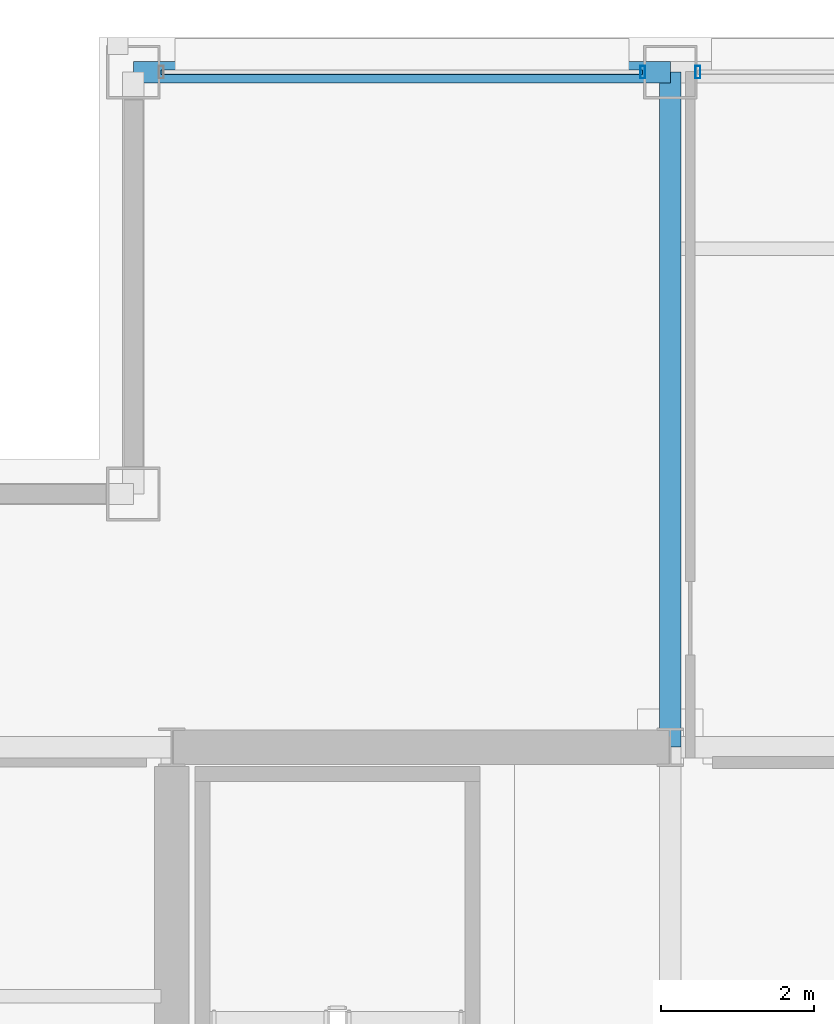
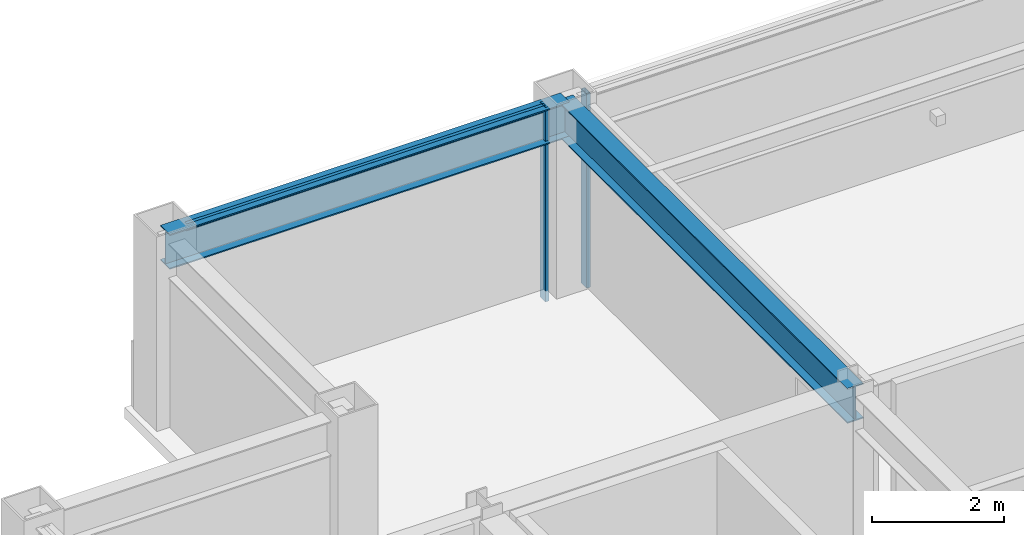
# One storey, part 20 of 30: 3 members, 2 beams, 2 elements without a shape of their own.
"""IFC4 building model written with IfcOpenShell, lengths in metres."""

from ifc_helpers import new_model, si_unit, direction, frame, origin, origin_2d, place, context, subcontext, project, spatial, hollow_rectangle, i_section, extrude, material, layer, layer_set, material_profile, profile_set, type_object, element, aggregate, save


model = new_model("IFC4")

# Units and contexts
model_context = context("Model", 3, precision=1e-05, world=origin(), true_north=direction((0.0, 1.0)))
body_context = subcontext(model_context, "Body", "Model", "MODEL_VIEW")
ifc_project = project(units=[si_unit("LENGTHUNIT", "METRE"), si_unit("AREAUNIT", "SQUARE_METRE"), si_unit("VOLUMEUNIT", "CUBIC_METRE"), si_unit("PLANEANGLEUNIT", "RADIAN"), si_unit("MASSUNIT", "GRAM", prefix="KILO")], contexts=[model_context])

# Site, building, storey
site_placement = place(None, origin())
site = spatial("IfcSite", under=ifc_project, at=site_placement, CompositionType="ELEMENT")
building_placement = place(site_placement, origin())
building = spatial("IfcBuilding", under=site, at=building_placement, Name="Brelmoor Portico Tower", CompositionType="ELEMENT")
storey_placement = place(building_placement, frame((0.0, 0.0, 187.5)))
storey = spatial("IfcBuildingStorey", under=building, at=storey_placement, Name="L49", CompositionType="ELEMENT", Elevation=187.5)

# Beams
ifc_material_1 = material(Name="Steel Q355B", Category="steel")
ifc_material_profile_1 = material_profile(ifc_material_1, i_section(OverallWidth=0.280029296875, OverallDepth=0.64990234375, WebThickness=0.012939453125, FlangeThickness=0.02197265625, at=origin_2d()), Name="HN 650x280x13x22")
ifc_profile_set_1 = profile_set([ifc_material_profile_1], Name="Steel Q355B")
beam_type_1 = type_object("IfcBeamType", Name="BM-PG-650", PredefinedType="BEAM", material=ifc_profile_set_1)
beam_1_placement = place(storey_placement, frame((-8.050048828125, 9.75, 3.074951171875), z_axis=(0.0, 1.0, 0.0), x_axis=(-1.0, 0.0, 0.0)))
element("IfcBeam", 1, at=beam_1_placement, inside=storey, type_object=beam_type_1, Name="L49 Primary Floor Girder PG-05", PredefinedType="BEAM", context=body_context, shape_type="SweptSolid", body=[
    extrude(i_section(OverallWidth=0.280029296875, OverallDepth=0.64990234375, WebThickness=0.012939453125, FlangeThickness=0.02197265625, at=origin_2d()), origin(), (0.0, 0.0, 1.0), 8.800048828125),
])
ifc_material_profile_2 = material_profile(ifc_material_1, i_section(OverallWidth=0.280029296875, OverallDepth=0.64990234375, WebThickness=0.012939453125, FlangeThickness=0.02197265625, at=origin_2d()), Name="HN 650x280x13x22")
ifc_profile_set_2 = profile_set([ifc_material_profile_2], Name="Steel Q355B")
beam_type_2 = type_object("IfcBeamType", Name="BM-SP-650", PredefinedType="SPANDREL", material=ifc_profile_set_2)
beam_2_placement = place(storey_placement, frame((-15.050048828125, 18.550048828125, 3.074951171875), z_axis=(1.0, 0.0, 0.0), x_axis=(0.0, 1.0, 0.0)))
element("IfcBeam", 2, at=beam_2_placement, inside=storey, type_object=beam_type_2, Name="L49 Perimeter Spandrel Beam SP-08", PredefinedType="SPANDREL", context=body_context, shape_type="SweptSolid", body=[
    extrude(i_section(OverallWidth=0.280029296875, OverallDepth=0.64990234375, WebThickness=0.012939453125, FlangeThickness=0.02197265625, at=origin_2d()), origin(), (0.0, 0.0, 1.0), 7.0),
])

# Curtain wall, member
ifc_material_2 = material(Name="Anodised Aluminium Alloy 6063-T6", Category="aluminium")
ifc_layer = layer(ifc_material_2, 0.179931640625)
ifc_layer_set = layer_set([ifc_layer], Name="Anodised Aluminium Alloy 6063-T6")
curtain_wall_type = type_object("IfcCurtainWallType", Name="CW-TOWER-Z3-XB", PredefinedType="NOTDEFINED", material=ifc_layer_set)
curtain_wall_1_placement = place(storey_placement, origin())
curtain_wall_1 = element("IfcCurtainWall", 3, at=curtain_wall_1_placement, inside=storey, type_object=curtain_wall_type, Name="L49 Curtain Wall CW-L49-02-1", PredefinedType="NOTDEFINED")
ifc_material_profile_3 = material_profile(ifc_material_2, hollow_rectangle(XDim=0.06494140625, YDim=0.1650390625, WallThickness=0.00390625, at=origin_2d()), Name="ALU MULLION 65x165")
ifc_profile_set_3 = profile_set([ifc_material_profile_3], Name="Anodised Aluminium Alloy 6063-T6")
member_type_1 = type_object("IfcMemberType", Name="MB-CW-MULL-165", PredefinedType="MULLION", material=ifc_profile_set_3)
member_1_placement = place(storey_placement, frame((-8.409912109375, 18.550048828125, -0.199951171875), z_axis=(0.0, 0.0, 1.0), x_axis=(1.0, 0.0, 0.0)))
member_1 = element("IfcMember", 4, at=member_1_placement, type_object=member_type_1, Name="CW-L49-02-1 Mullion 01", PredefinedType="MULLION", context=body_context, shape_type="SweptSolid", body=[
    extrude(hollow_rectangle(XDim=0.06494140625, YDim=0.1650390625, WallThickness=0.00390625, at=origin_2d()), origin(), (0.0, 0.0, 1.0), 3.599853515625),
])

curtain_wall_2_placement = place(storey_placement, origin())
curtain_wall_2 = element("IfcCurtainWall", 5, at=curtain_wall_2_placement, inside=storey, type_object=curtain_wall_type, Name="L49 Curtain Wall CW-L49-02-2", PredefinedType="NOTDEFINED")
member_2_placement = place(storey_placement, frame((-7.68994140625, 18.550048828125, -0.199951171875), z_axis=(0.0, 0.0, 1.0), x_axis=(1.0, 0.0, 0.0)))
member_2 = element("IfcMember", 6, at=member_2_placement, type_object=member_type_1, Name="CW-L49-02-2 Mullion 00", PredefinedType="MULLION", context=body_context, shape_type="SweptSolid", body=[
    extrude(hollow_rectangle(XDim=0.06494140625, YDim=0.1650390625, WallThickness=0.00390625, at=origin_2d()), origin(), (0.0, 0.0, 1.0), 3.599853515625),
])
aggregate(curtain_wall_2, [member_2])

# Member
ifc_material_profile_4 = material_profile(ifc_material_2, hollow_rectangle(XDim=0.06005859375, YDim=0.125, WallThickness=0.00341796875, at=origin_2d()), Name="ALU TRANSOM 60x125")
ifc_profile_set_4 = profile_set([ifc_material_profile_4], Name="Anodised Aluminium Alloy 6063-T6")
member_type_2 = type_object("IfcMemberType", Name="MB-CW-TRAN-125", PredefinedType="USERDEFINED", material=ifc_profile_set_4)
member_3_placement = place(storey_placement, frame((-14.68994140625, 18.550048828125, 3.33740234375), z_axis=(1.0, 0.0, 0.0), x_axis=(0.0, 1.0, 0.0)))
member_3 = element("IfcMember", 7, at=member_3_placement, type_object=member_type_2, Name="CW-L49-02-1 Transom 1-00", ObjectType="TRANSOM", PredefinedType="USERDEFINED", context=body_context, shape_type="SweptSolid", body=[
    extrude(hollow_rectangle(XDim=0.06005859375, YDim=0.125, WallThickness=0.00341796875, at=origin_2d()), origin(), (0.0, 0.0, 1.0), 6.280029296875),
])

aggregate(curtain_wall_1, [member_1, member_3])

save(model, "model.ifc")
